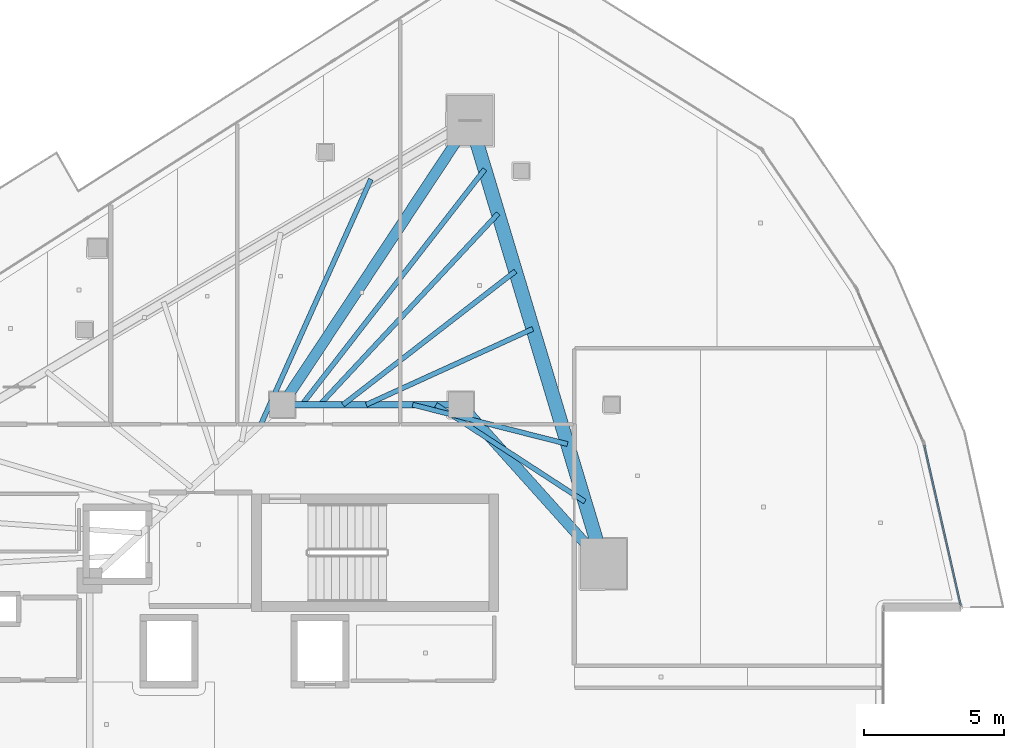
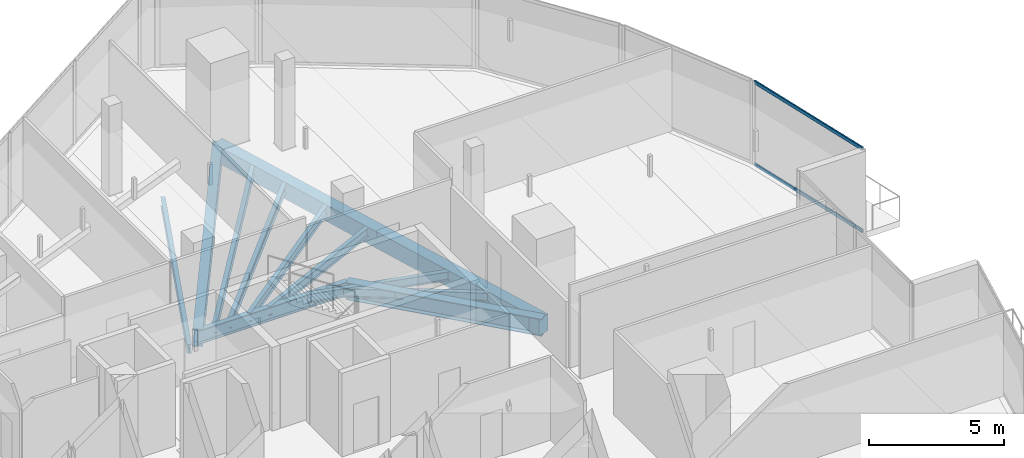
# One storey, part 23 of 40: 11 beams, 2 members, 1 element without a shape of its own.
"""IFC4 building model written with IfcOpenShell, lengths in metres."""

from ifc_helpers import new_model, si_unit, direction, frame, origin, origin_2d, place, context, subcontext, project, spatial, rectangle, hollow_rectangle, i_section, extrude, material, layer, layer_set, material_profile, profile_set, type_object, element, aggregate, save


model = new_model("IFC4")

# Units and contexts
model_context = context("Model", 3, precision=1e-05, world=origin(), true_north=direction((0.0, 1.0)))
body_context = subcontext(model_context, "Body", "Model", "MODEL_VIEW")
ifc_project = project(units=[si_unit("LENGTHUNIT", "METRE"), si_unit("AREAUNIT", "SQUARE_METRE"), si_unit("VOLUMEUNIT", "CUBIC_METRE"), si_unit("PLANEANGLEUNIT", "RADIAN"), si_unit("MASSUNIT", "GRAM", prefix="KILO")], contexts=[model_context])

# Site, building, storey
site_placement = place(None, origin())
site = spatial("IfcSite", under=ifc_project, at=site_placement, CompositionType="ELEMENT")
building_placement = place(site_placement, origin())
building = spatial("IfcBuilding", under=site, at=building_placement, Name="Qorvath Tower", CompositionType="ELEMENT")
storey_placement = place(building_placement, frame((0.0, 0.0, 225.300048828125)))
storey = spatial("IfcBuildingStorey", under=building, at=storey_placement, Name="L52", CompositionType="ELEMENT", Elevation=225.300048828125)

# Beams
ifc_material_1 = material(Name="Steel ASTM A992 Grade 50", Category="steel")
ifc_material_profile_1 = material_profile(ifc_material_1, i_section(OverallWidth=0.381103515625, OverallDepth=0.77294921875, WebThickness=0.0166015625, FlangeThickness=0.027099609375, FilletRadius=0.01904296875, at=origin_2d()), Name="W30x173")
ifc_profile_set_1 = profile_set([ifc_material_profile_1], Name="Steel ASTM A992 Grade 50")
beam_type_1 = type_object("IfcBeamType", Name="BM-FG3", PredefinedType="BEAM", material=ifc_profile_set_1)
beam_1_placement = place(storey_placement, frame((-23.60009765625, 11.449951171875, -0.656494140625), z_axis=(0.551500517741, 0.834174549439, 0.0), x_axis=(-0.834174549439, 0.551500517741, 0.0)))
element("IfcBeam", 1, at=beam_1_placement, inside=storey, type_object=beam_type_1, Name="Radial Floor Girder CC1-MC6 L52", PredefinedType="BEAM", context=body_context, shape_type="SweptSolid", body=[
    extrude(i_section(OverallWidth=0.381103515625, OverallDepth=0.77294921875, WebThickness=0.0166015625, FlangeThickness=0.027099609375, FilletRadius=0.01904296875, at=origin_2d()), origin(), (0.0, 0.0, 1.0), 12.200439453125),
])
beam_2_placement = place(storey_placement, frame((-17.199951171875, 11.449951171875, -0.656494140625), z_axis=(0.667543184261, -0.744571082669, 0.0), x_axis=(0.744571082669, 0.667543184261, 0.0)))
element("IfcBeam", 2, at=beam_2_placement, inside=storey, type_object=beam_type_1, Name="Radial Floor Girder CC2-MC5 L52", PredefinedType="BEAM", context=body_context, shape_type="SweptSolid", body=[
    extrude(i_section(OverallWidth=0.381103515625, OverallDepth=0.77294921875, WebThickness=0.0166015625, FlangeThickness=0.027099609375, FilletRadius=0.01904296875, at=origin_2d()), origin(), (0.0, 0.0, 1.0), 7.644775390625),
])
ifc_material_2 = material(Name="Steel ASTM A992 Grade 50", Category="steel")
ifc_material_profile_2 = material_profile(ifc_material_2, i_section(OverallWidth=0.22998046875, OverallDepth=0.616943359375, WebThickness=0.01318359375, FlangeThickness=0.022216796875, FilletRadius=0.014892578125, at=origin_2d()), Name="W24x94")
ifc_profile_set_2 = profile_set([ifc_material_profile_2], Name="Steel ASTM A992 Grade 50")
beam_type_2 = type_object("IfcBeamType", Name="BM-FG6", PredefinedType="BEAM", material=ifc_profile_set_2)
beam_3_placement = place(storey_placement, frame((-23.60009765625, 11.449951171875, -0.57861328125), z_axis=(1.0, 0.0, 0.0), x_axis=(0.0, 1.0, 0.0)))
element("IfcBeam", 3, at=beam_3_placement, inside=storey, type_object=beam_type_2, Name="Core Ring Girder CC1-CC2 L52", PredefinedType="BEAM", context=body_context, shape_type="SweptSolid", body=[
    extrude(i_section(OverallWidth=0.22998046875, OverallDepth=0.616943359375, WebThickness=0.01318359375, FlangeThickness=0.022216796875, FilletRadius=0.014892578125, at=origin_2d()), origin(), (0.0, 0.0, 1.0), 6.400146484375),
])
ifc_material_3 = material(Name="Steel ASTM A992 Grade 50", Category="steel")
ifc_material_profile_3 = material_profile(ifc_material_3, i_section(OverallWidth=0.177978515625, OverallDepth=0.406005859375, WebThickness=0.0078125, FlangeThickness=0.0126953125, FilletRadius=0.010986328125, at=origin_2d()), Name="W16x40")
ifc_profile_set_3 = profile_set([ifc_material_profile_3], Name="Steel ASTM A992 Grade 50")
beam_type_3 = type_object("IfcBeamType", Name="BM-FJ3", PredefinedType="JOIST", material=ifc_profile_set_3)
beam_4_placement = place(storey_placement, frame((-18.095947265625, 11.449951171875, -0.47314453125), z_axis=(0.838041756057, -0.545606098853, 0.0), x_axis=(0.545606098853, 0.838041756057, 0.0)))
element("IfcBeam", 4, at=beam_4_placement, inside=storey, type_object=beam_type_3, Name="Composite Floor Joist NE1 L52", PredefinedType="JOIST", context=body_context, shape_type="SweptSolid", body=[
    extrude(i_section(OverallWidth=0.177978515625, OverallDepth=0.406005859375, WebThickness=0.0078125, FlangeThickness=0.0126953125, FilletRadius=0.010986328125, at=origin_2d()), origin(), (0.0, 0.0, 1.0), 6.36083984375),
])
beam_5_placement = place(storey_placement, frame((-18.927978515625, 11.449951171875, -0.47314453125), z_axis=(0.969231577698, -0.246150662794, 0.0), x_axis=(0.246150662794, 0.969231577698, 0.0)))
element("IfcBeam", 5, at=beam_5_placement, inside=storey, type_object=beam_type_3, Name="Composite Floor Joist NE2 L52", PredefinedType="JOIST", context=body_context, shape_type="SweptSolid", body=[
    extrude(i_section(OverallWidth=0.177978515625, OverallDepth=0.406005859375, WebThickness=0.0078125, FlangeThickness=0.0126953125, FilletRadius=0.010986328125, at=origin_2d()), origin(), (0.0, 0.0, 1.0), 5.718017578125),
])
beam_6_placement = place(storey_placement, frame((-20.592041015625, 11.449951171875, -0.47314453125), z_axis=(0.909945081179, 0.414728765868, 0.0), x_axis=(-0.414728765868, 0.909945081179, 0.0)))
element("IfcBeam", 6, at=beam_6_placement, inside=storey, type_object=beam_type_3, Name="Composite Floor Joist NE4 L52", PredefinedType="JOIST", context=body_context, shape_type="SweptSolid", body=[
    extrude(i_section(OverallWidth=0.177978515625, OverallDepth=0.406005859375, WebThickness=0.0078125, FlangeThickness=0.0126953125, FilletRadius=0.010986328125, at=origin_2d()), origin(), (0.0, 0.0, 1.0), 6.554931640625),
])
beam_7_placement = place(storey_placement, frame((-21.424072265625, 11.449951171875, -0.47314453125), z_axis=(0.790693445503, 0.612212279555, 0.0), x_axis=(-0.612212279555, 0.790693445503, 0.0)))
element("IfcBeam", 7, at=beam_7_placement, inside=storey, type_object=beam_type_3, Name="Composite Floor Joist NE5 L52", PredefinedType="JOIST", context=body_context, shape_type="SweptSolid", body=[
    extrude(i_section(OverallWidth=0.177978515625, OverallDepth=0.406005859375, WebThickness=0.0078125, FlangeThickness=0.0126953125, FilletRadius=0.010986328125, at=origin_2d()), origin(), (0.0, 0.0, 1.0), 7.810546875),
])
beam_8_placement = place(storey_placement, frame((-22.256103515625, 11.449951171875, -0.47314453125), z_axis=(0.682249490937, 0.731119437654, 0.0), x_axis=(-0.731119437654, 0.682249490937, 0.0)))
element("IfcBeam", 8, at=beam_8_placement, inside=storey, type_object=beam_type_3, Name="Composite Floor Joist NE6 L52", PredefinedType="JOIST", context=body_context, shape_type="SweptSolid", body=[
    extrude(i_section(OverallWidth=0.177978515625, OverallDepth=0.406005859375, WebThickness=0.0078125, FlangeThickness=0.0126953125, FilletRadius=0.010986328125, at=origin_2d()), origin(), (0.0, 0.0, 1.0), 9.362060546875),
])
beam_9_placement = place(storey_placement, frame((-22.89599609375, 11.449951171875, -0.47314453125), z_axis=(0.61345131907, 0.789732536452, 0.0), x_axis=(-0.789732536452, 0.61345131907, 0.0)))
element("IfcBeam", 9, at=beam_9_placement, inside=storey, type_object=beam_type_3, Name="Composite Floor Joist NE7 L52", PredefinedType="JOIST", context=body_context, shape_type="SweptSolid", body=[
    extrude(i_section(OverallWidth=0.177978515625, OverallDepth=0.406005859375, WebThickness=0.0078125, FlangeThickness=0.0126953125, FilletRadius=0.010986328125, at=origin_2d()), origin(), (0.0, 0.0, 1.0), 10.676513671875),
])
beam_10_placement = place(storey_placement, frame((-24.35888671875, 10.757080078125, -0.47314453125), z_axis=(0.409327209141, 0.912387656568, 0.0), x_axis=(-0.912387656568, 0.409327209141, 0.0)))
element("IfcBeam", 10, at=beam_10_placement, inside=storey, type_object=beam_type_3, Name="Composite Floor Joist NW7 L52", PredefinedType="JOIST", context=body_context, shape_type="SweptSolid", body=[
    extrude(i_section(OverallWidth=0.177978515625, OverallDepth=0.406005859375, WebThickness=0.0078125, FlangeThickness=0.0126953125, FilletRadius=0.010986328125, at=origin_2d()), origin(), (0.0, 0.0, 1.0), 9.611083984375),
])
ifc_material_4 = material(Name="Concrete C45/55", Category="concrete")
ifc_material_profile_4 = material_profile(ifc_material_4, rectangle(XDim=0.5, YDim=0.75, at=origin_2d()), Name="RCB 750x500")
ifc_profile_set_4 = profile_set([ifc_material_profile_4], Name="Concrete C45/55")
beam_type_4 = type_object("IfcBeamType", Name="BM-RCB3", PredefinedType="SPANDREL", material=ifc_profile_set_4)
beam_11_placement = place(storey_placement, frame((-12.0966796875, 5.7578125, -0.64501953125), z_axis=(-0.28812763802, 0.957592013443, 0.0), x_axis=(-0.957592013443, -0.28812763802, 0.0)))
element("IfcBeam", 11, at=beam_11_placement, inside=storey, type_object=beam_type_4, Name="Perimeter Loggia Frame Beam MC5-MC6 L52", PredefinedType="SPANDREL", context=body_context, shape_type="SweptSolid", body=[
    extrude(rectangle(XDim=0.5, YDim=0.75, at=origin_2d()), origin(), (0.0, 0.0, 1.0), 16.572265625),
])

# Curtain wall, members
ifc_material_5 = material(Name="Anodised aluminium and triple low-E glass", Category="aluminium")
ifc_layer = layer(ifc_material_5, 0.179931640625)
ifc_layer_set = layer_set([ifc_layer], Name="CW-SYS-5")
curtain_wall_type = type_object("IfcCurtainWallType", Name="CW-SYS-5", PredefinedType="NOTDEFINED", material=ifc_layer_set)
curtain_wall_placement = place(storey_placement, origin())
curtain_wall = element("IfcCurtainWall", 12, at=curtain_wall_placement, inside=storey, type_object=curtain_wall_type, Name="Curtain Wall CW-5 CW-T-L52-13.1", PredefinedType="NOTDEFINED")
ifc_material_6 = material(Name="Anodised aluminium 6063-T6", Category="aluminium")
ifc_material_profile_5 = material_profile(ifc_material_6, hollow_rectangle(XDim=0.06494140625, YDim=0.159912109375, WallThickness=0.00341796875, InnerFilletRadius=0.00341796875, OuterFilletRadius=0.007080078125, at=origin_2d()), Name="CWT 160x65")
ifc_profile_set_5 = profile_set([ifc_material_profile_5], Name="Anodised aluminium 6063-T6")
member_type = type_object("IfcMemberType", Name="CWT-160", PredefinedType="USERDEFINED", material=ifc_profile_set_5)
member_1_placement = place(storey_placement, frame((0.696044921875, 4.26904296875, 0.032470703125), z_axis=(-0.221994197684, 0.975047986611, 0.0), x_axis=(-0.975047986611, -0.221994197684, 0.0)))
member_1 = element("IfcMember", 13, at=member_1_placement, type_object=member_type, Name="CW-5 transom 1.1", ObjectType="TRANSOM", PredefinedType="USERDEFINED", context=body_context, shape_type="SweptSolid", body=[
    extrude(hollow_rectangle(XDim=0.06494140625, YDim=0.159912109375, WallThickness=0.00341796875, InnerFilletRadius=0.00341796875, OuterFilletRadius=0.007080078125, at=origin_2d()), origin(), (0.0, 0.0, 1.0), 5.882568359375),
])
member_2_placement = place(storey_placement, frame((0.696044921875, 4.26904296875, 3.74755859375), z_axis=(-0.221994197684, 0.975047986611, 0.0), x_axis=(-0.975047986611, -0.221994197684, 0.0)))
member_2 = element("IfcMember", 14, at=member_2_placement, type_object=member_type, Name="CW-5 transom 1.2", ObjectType="TRANSOM", PredefinedType="USERDEFINED", context=body_context, shape_type="SweptSolid", body=[
    extrude(hollow_rectangle(XDim=0.06494140625, YDim=0.159912109375, WallThickness=0.00341796875, InnerFilletRadius=0.00341796875, OuterFilletRadius=0.007080078125, at=origin_2d()), origin(), (0.0, 0.0, 1.0), 5.882568359375),
])
aggregate(curtain_wall, [member_1, member_2])

save(model, "model.ifc")
